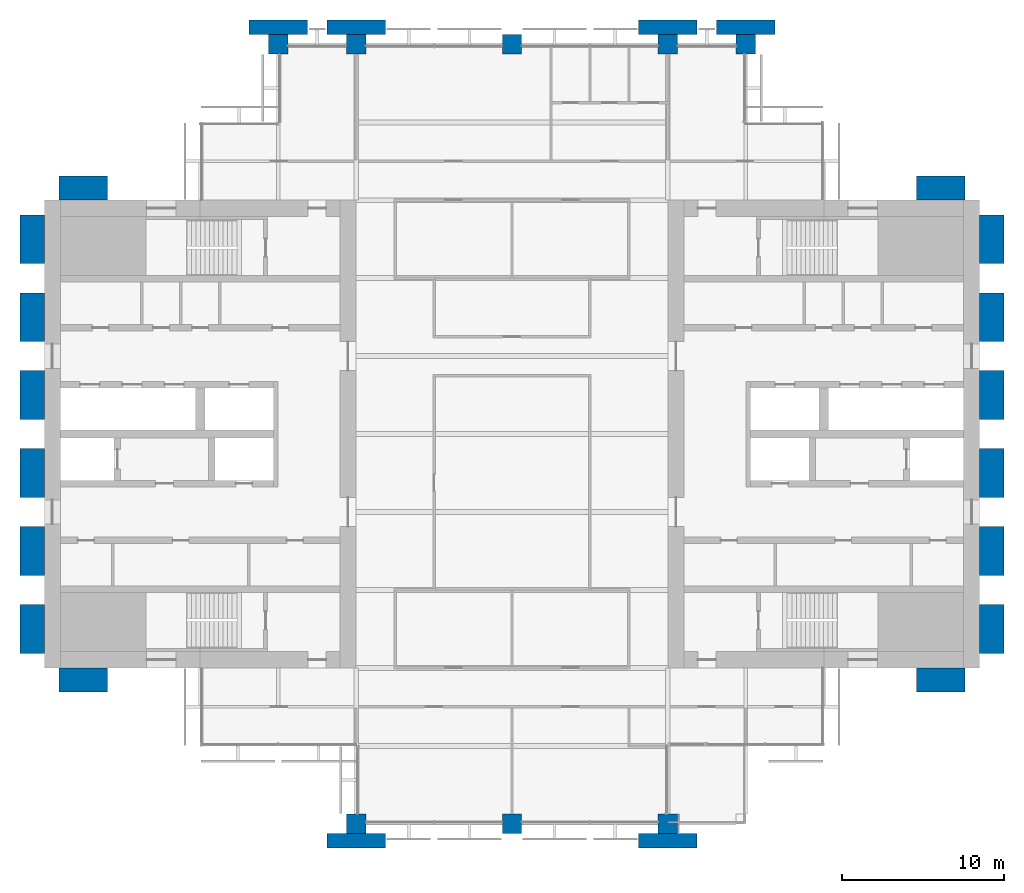
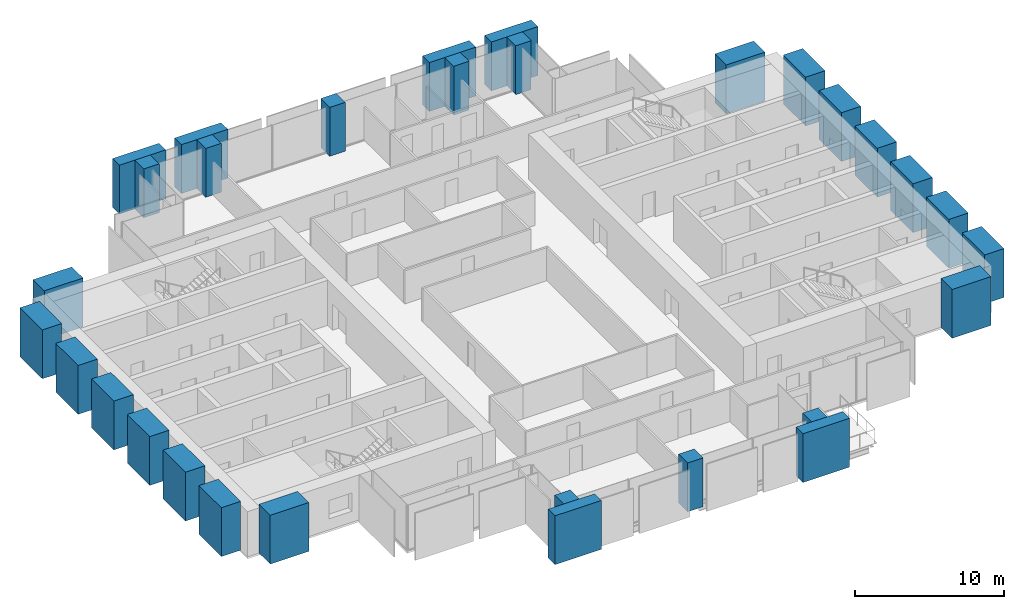
# One storey, part 1 of 13: 30 columns.
"""IFC4 building model written with IfcOpenShell, lengths in metres."""

from ifc_helpers import new_model, si_unit, direction, frame, origin, origin_2d, place, context, subcontext, project, spatial, rectangle, extrude, material, material_profile, profile_set, type_object, element, save


model = new_model("IFC4")

# Units and contexts
model_context = context("Model", 3, precision=1e-05, world=origin(), true_north=direction((0.0, 1.0)))
body_context = subcontext(model_context, "Body", "Model", "MODEL_VIEW")
ifc_project = project(units=[si_unit("LENGTHUNIT", "METRE"), si_unit("AREAUNIT", "SQUARE_METRE"), si_unit("VOLUMEUNIT", "CUBIC_METRE"), si_unit("PLANEANGLEUNIT", "RADIAN"), si_unit("MASSUNIT", "GRAM", prefix="KILO")], contexts=[model_context])

# Site, building, storey
site_placement = place(None, origin())
site = spatial("IfcSite", under=ifc_project, at=site_placement, CompositionType="ELEMENT")
building_placement = place(site_placement, origin())
building = spatial("IfcBuilding", under=site, at=building_placement, Name="Baori Bourse Tower", CompositionType="ELEMENT")
storey_placement = place(building_placement, frame((0.0, 0.0, 172.10009765625)))
storey = spatial("IfcBuildingStorey", under=building, at=storey_placement, Name="L38", CompositionType="ELEMENT", Elevation=172.10009765625)

# Columns
ifc_material_1 = material(Name="Concrete f'c 60 MPa", Category="concrete")
ifc_material_profile_1 = material_profile(ifc_material_1, rectangle(XDim=3.60009765625, YDim=0.89990234375, at=origin_2d()), Name="RC 3600x900")
ifc_profile_set_1 = profile_set([ifc_material_profile_1], Name="Concrete f'c 60 MPa")
column_type_1 = type_object("IfcColumnType", Name="FN3 Brick pilaster 3600x900", PredefinedType="PILASTER", material=ifc_profile_set_1)
for number, where, z_axis, x_axis, name in (
    (1, (19.199951171875, -1.050048828125, 0.0), (0.0, 0.0, 1.0), (1.0, 0.0, 0.0), "Brick pilaster L38 17"),
    (2, (38.39990234375, -1.050048828125, 0.0), (0.0, 0.0, 1.0), (1.0, 0.0, 0.0), "Brick pilaster L38 18"),
    (3, (14.39990234375, 49.050048828125, 0.0), (0.0, 0.0, 1.0), (1.0, 0.0, 0.0), "Brick pilaster L38 19"),
    (4, (19.199951171875, 49.050048828125, 0.0), (0.0, 0.0, 1.0), (1.0, 0.0, 0.0), "Brick pilaster L38 20"),
    (5, (38.39990234375, 49.050048828125, 0.0), (0.0, 0.0, 1.0), (1.0, 0.0, 0.0), "Brick pilaster L38 21"),
    (6, (43.199951171875, 49.050048828125, 0.0), (0.0, 0.0, 1.0), (1.0, 0.0, 0.0), "Brick pilaster L38 22"),
):
    element("IfcColumn", number, at=place(storey_placement, frame(where, z_axis=z_axis, x_axis=x_axis)), inside=storey, type_object=column_type_1, Name=name, PredefinedType="PILASTER", context=body_context, shape_type="SweptSolid", body=[
        extrude(rectangle(XDim=3.60009765625, YDim=0.89990234375, at=origin_2d()), origin(), (0.0, 0.0, 1.0), 4.0),
    ])
ifc_material_2 = material(Name="Concrete f'c 60 MPa", Category="concrete")
ifc_material_profile_2 = material_profile(ifc_material_2, rectangle(XDim=3.0, YDim=1.5, at=origin_2d()), Name="RC 3000x1500")
ifc_profile_set_2 = profile_set([ifc_material_profile_2], Name="Concrete f'c 60 MPa")
column_type_2 = type_object("IfcColumnType", Name="FN4 Brick flank pilaster 3000x1500", PredefinedType="PILASTER", material=ifc_profile_set_2)
for number, where, z_axis, x_axis, name in (
    (7, (55.199951171875, 8.85009765625, 0.0), (0.0, 0.0, 1.0), (1.0, 0.0, 0.0), "Brick pilaster L38 1"),
    (8, (58.35009765625, 12.0, 0.0), (0.0, 0.0, 1.0), (0.0, 1.0, 0.0), "Brick pilaster L38 2"),
    (9, (58.35009765625, 16.800048828125, 0.0), (0.0, 0.0, 1.0), (0.0, 1.0, 0.0), "Brick pilaster L38 3"),
    (10, (58.35009765625, 21.60009765625, 0.0), (0.0, 0.0, 1.0), (0.0, 1.0, 0.0), "Brick pilaster L38 4"),
    (11, (58.35009765625, 26.39990234375, 0.0), (0.0, 0.0, 1.0), (0.0, 1.0, 0.0), "Brick pilaster L38 5"),
    (12, (58.35009765625, 31.199951171875, 0.0), (0.0, 0.0, 1.0), (0.0, 1.0, 0.0), "Brick pilaster L38 6"),
    (13, (58.35009765625, 36.0, 0.0), (0.0, 0.0, 1.0), (0.0, 1.0, 0.0), "Brick pilaster L38 7"),
    (14, (55.199951171875, 39.14990234375, 0.0), (0.0, 0.0, 1.0), (1.0, 0.0, 0.0), "Brick pilaster L38 8"),
    (15, (2.39990234375, 39.14990234375, 0.0), (0.0, 0.0, 1.0), (1.0, 0.0, 0.0), "Brick pilaster L38 9"),
    (16, (-0.75, 12.0, 0.0), (0.0, 0.0, 1.0), (0.0, 1.0, 0.0), "Brick pilaster L38 10"),
    (17, (-0.75, 16.800048828125, 0.0), (0.0, 0.0, 1.0), (0.0, 1.0, 0.0), "Brick pilaster L38 11"),
    (18, (-0.75, 21.60009765625, 0.0), (0.0, 0.0, 1.0), (0.0, 1.0, 0.0), "Brick pilaster L38 12"),
    (19, (-0.75, 26.39990234375, 0.0), (0.0, 0.0, 1.0), (0.0, 1.0, 0.0), "Brick pilaster L38 13"),
    (20, (-0.75, 31.199951171875, 0.0), (0.0, 0.0, 1.0), (0.0, 1.0, 0.0), "Brick pilaster L38 14"),
    (21, (-0.75, 36.0, 0.0), (0.0, 0.0, 1.0), (0.0, 1.0, 0.0), "Brick pilaster L38 15"),
    (22, (2.39990234375, 8.85009765625, 0.0), (0.0, 0.0, 1.0), (1.0, 0.0, 0.0), "Brick pilaster L38 16"),
):
    element("IfcColumn", number, at=place(storey_placement, frame(where, z_axis=z_axis, x_axis=x_axis)), inside=storey, type_object=column_type_2, Name=name, PredefinedType="PILASTER", context=body_context, shape_type="SweptSolid", body=[
        extrude(rectangle(XDim=3.0, YDim=1.5, at=origin_2d()), origin(), (0.0, 0.0, 1.0), 4.0),
    ])
ifc_material_3 = material(Name="Concrete f'c 60 MPa", Category="concrete")
ifc_material_profile_3 = material_profile(ifc_material_3, rectangle(XDim=1.199951171875, YDim=1.199951171875, at=origin_2d()), Name="RC 1200x1200")
ifc_profile_set_3 = profile_set([ifc_material_profile_3], Name="Concrete f'c 60 MPa")
column_type_3 = type_object("IfcColumnType", Name="Perimeter column 60 RC 1200x1200", PredefinedType="COLUMN", material=ifc_profile_set_3)
for number, where, z_axis, x_axis, name in (
    (23, (19.199951171875, 0.0, 0.0), (0.0, 0.0, 1.0), (1.0, 0.0, 0.0), "Perimeter column L38"),
    (24, (28.800048828125, 0.0, 0.0), (0.0, 0.0, 1.0), (1.0, 0.0, 0.0), "Perimeter column L38"),
    (25, (38.39990234375, 0.0, 0.0), (0.0, 0.0, 1.0), (1.0, 0.0, 0.0), "Perimeter column L38"),
    (26, (14.39990234375, 48.0, 0.0), (0.0, 0.0, 1.0), (1.0, 0.0, 0.0), "Perimeter column L38"),
    (27, (19.199951171875, 48.0, 0.0), (0.0, 0.0, 1.0), (1.0, 0.0, 0.0), "Perimeter column L38"),
    (28, (28.800048828125, 48.0, 0.0), (0.0, 0.0, 1.0), (1.0, 0.0, 0.0), "Perimeter column L38"),
    (29, (38.39990234375, 48.0, 0.0), (0.0, 0.0, 1.0), (1.0, 0.0, 0.0), "Perimeter column L38"),
    (30, (43.199951171875, 48.0, 0.0), (0.0, 0.0, 1.0), (1.0, 0.0, 0.0), "Perimeter column L38"),
):
    element("IfcColumn", number, at=place(storey_placement, frame(where, z_axis=z_axis, x_axis=x_axis)), inside=storey, type_object=column_type_3, Name=name, PredefinedType="COLUMN", context=body_context, shape_type="SweptSolid", body=[
        extrude(rectangle(XDim=1.199951171875, YDim=1.199951171875, at=origin_2d()), origin(), (0.0, 0.0, 1.0), 4.0),
    ])

save(model, "model.ifc")
